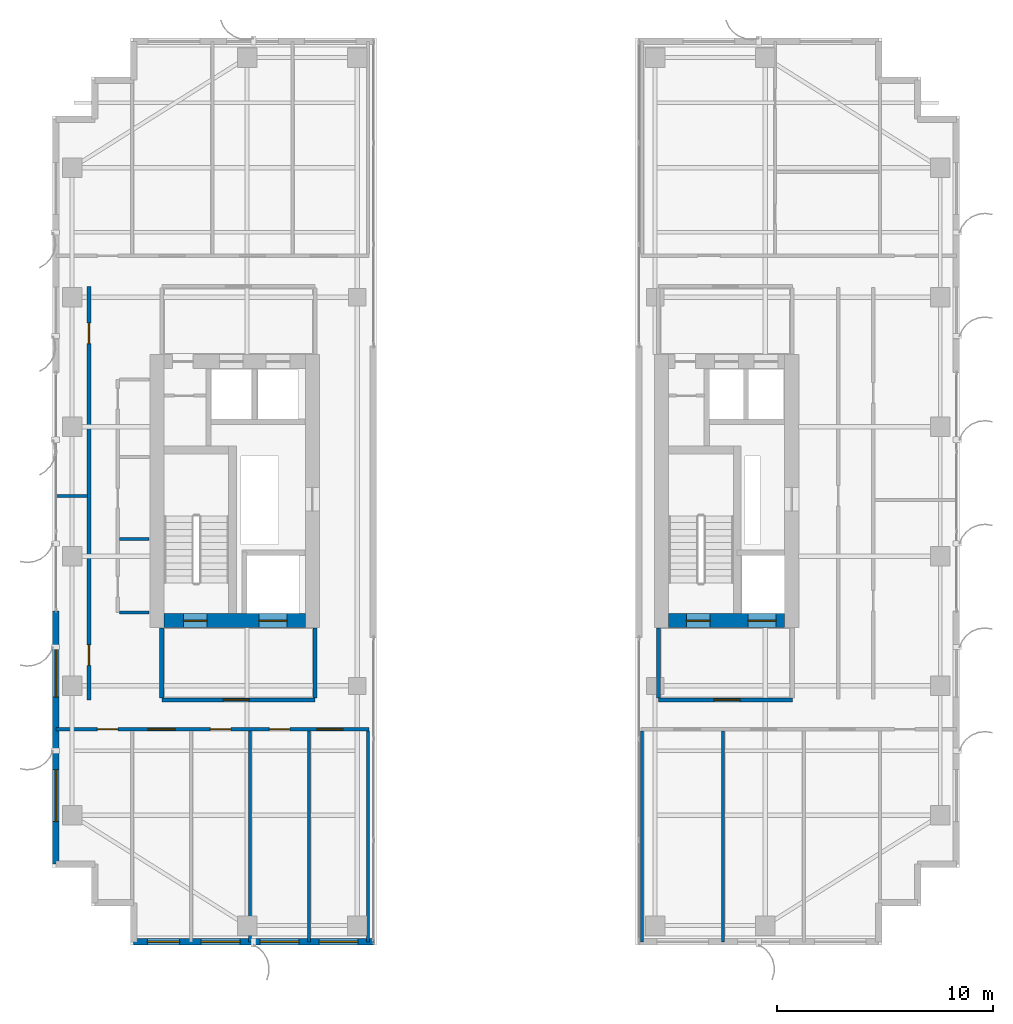
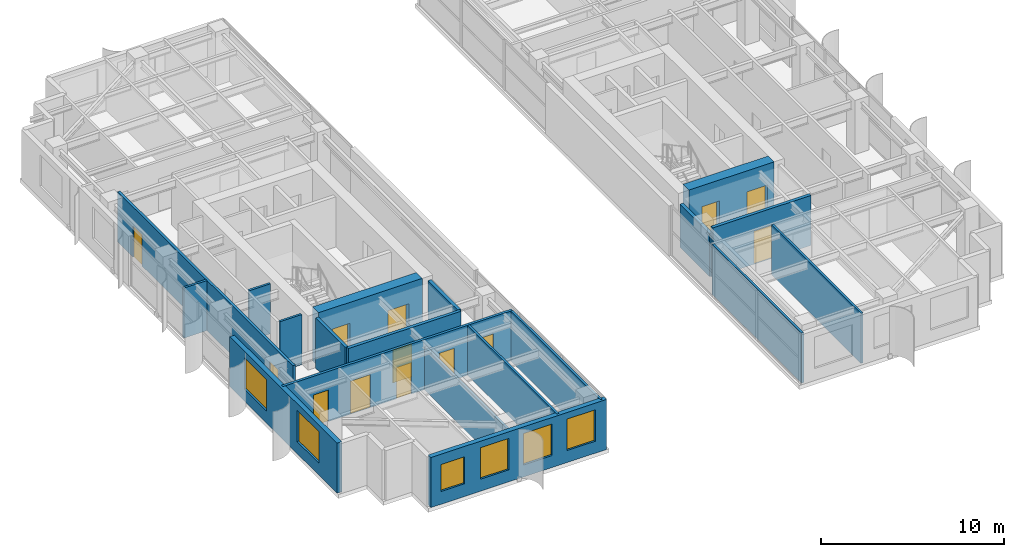
# One storey, part 16 of 22: 19 walls, 13 doors, 6 windows, 19 openings.
"""IFC4 building model written with IfcOpenShell, lengths in metres."""

from ifc_helpers import new_model, si_unit, direction, frame, frame_2d, origin, place, context, subcontext, project, spatial, rectangle, extrude, source, transform, mapped, material, layer, layer_set, type_object, element, fill, save


model = new_model("IFC4")

# Units and contexts
model_context = context("Model", 3, precision=1e-05, world=origin(), true_north=direction((0.0, 1.0)))
body_context = subcontext(model_context, "Body", "Model", "MODEL_VIEW")
ifc_project = project(units=[si_unit("LENGTHUNIT", "METRE"), si_unit("AREAUNIT", "SQUARE_METRE"), si_unit("VOLUMEUNIT", "CUBIC_METRE"), si_unit("PLANEANGLEUNIT", "RADIAN"), si_unit("MASSUNIT", "GRAM", prefix="KILO")], contexts=[model_context])

# Site, building, storey
site_placement = place(None, origin())
site = spatial("IfcSite", under=ifc_project, at=site_placement, CompositionType="ELEMENT")
building_placement = place(site_placement, origin())
building = spatial("IfcBuilding", under=site, at=building_placement, Name="Khoralis Quay Care Tower", CompositionType="ELEMENT")
storey_placement = place(building_placement, frame((0.0, 0.0, 191.699951171875)))
storey = spatial("IfcBuildingStorey", under=building, at=storey_placement, Name="L50", CompositionType="ELEMENT", Elevation=191.699951171875)

# Wall, opening, door
ifc_material_1 = material(Name="Gypsum plasterboard on acoustic metal stud")
ifc_layer_1 = layer(ifc_material_1, 0.199951171875)
ifc_layer_set_1 = layer_set([ifc_layer_1], Name="Gypsum plasterboard on acoustic metal stud")
wall_type_1 = type_object("IfcWallType", Name="WL-COMP-200", PredefinedType="PARTITIONING", material=ifc_layer_set_1)
wall_1_placement = place(storey_placement, frame((8.050048828125, 11.35009765625, 0.0), z_axis=(0.0, 0.0, 1.0), x_axis=(1.0, 0.0, 0.0)))
wall_1 = element("IfcWall", 1, at=wall_1_placement, inside=storey, type_object=wall_type_1, Name="L50 West Firefighting Lobby South Wall", PredefinedType="PARTITIONING", context=body_context, shape_type="SweptSolid", body=[
    extrude(rectangle(XDim=7.099853515625, YDim=0.199951171875, at=frame_2d((3.5498046875, 0.0))), origin(), (0.0, 0.0, 1.0), 3.340087890625),
])
opening_1_placement = place(wall_1_placement, frame((2.846435546875, 0.0, 0.0)))
opening_1 = element("IfcOpeningElement", 2, at=opening_1_placement, cuts=wall_1, Name="Opening FD1", PredefinedType="OPENING", context=body_context, shape_type="SweptSolid", body=[
    extrude(rectangle(XDim=1.199951171875, YDim=2.199951171875, at=frame_2d((0.60009765625, 1.10009765625))), frame((0.0, 0.10986328125, 0.0), z_axis=(0.0, -1.0, 0.0), x_axis=(1.0, 0.0, 0.0)), (0.0, 0.0, 1.0), 0.219970703125),
])
ifc_material_2 = material(Name="Fire-rated painted steel", Category="steel")
door_type_1 = type_object("IfcDoorType", Name="DR-FFL-1200X2200", OperationType="NOTDEFINED", PredefinedType="DOOR", material=ifc_material_2)
shared_shape_1 = source(origin(), body_context, "Body", "SweptSolid", [
    extrude(rectangle(XDim=1.199951171875, YDim=2.199951171875, at=frame_2d((0.60009765625, 1.10009765625))), frame((0.0, 0.02490234375, 0.0), z_axis=(0.0, -1.0, 0.0), x_axis=(1.0, 0.0, 0.0)), (0.0, 0.0, 1.0), 0.050048828125),
])
door_1_placement = place(opening_1_placement, origin())
door_1 = element("IfcDoor", 3, at=door_1_placement, inside=storey, type_object=door_type_1, Name="L50 West Firefighting Lobby Fire Door", OperationType="SINGLE_SWING_RIGHT", OverallHeight=2.199951171875, OverallWidth=1.199951171875, PredefinedType="DOOR", context=body_context, shape_type="MappedRepresentation", body=[
    mapped(shared_shape_1, transform((0.0, 0.0, 0.0), scale=1.0)),
])
fill(opening_1, door_1)

# Walls
for number, where, z_axis, x_axis, name in (
    (4, (8.050048828125, 11.445068359375, 0.0), (0.0, 0.0, 1.0), (0.0, 1.0, 0.0), "L50 West Firefighting Lobby West Wall"),
    (5, (15.14990234375, 11.445068359375, 0.0), (0.0, 0.0, 1.0), (0.0, 1.0, 0.0), "L50 West Firefighting Lobby East Wall"),
):
    element("IfcWall", number, at=place(storey_placement, frame(where, z_axis=z_axis, x_axis=x_axis)), inside=storey, type_object=wall_type_1, Name=name, PredefinedType="PARTITIONING", context=body_context, shape_type="SweptSolid", body=[
        extrude(rectangle(XDim=3.23486328125, YDim=0.199951171875, at=frame_2d((1.617431640625, 0.0))), origin(), (0.0, 0.0, 1.0), 3.340087890625),
    ])

# Wall, opening, door
wall_2_placement = place(storey_placement, frame((31.050048828125, 11.35009765625, 0.0), z_axis=(0.0, 0.0, 1.0), x_axis=(1.0, 0.0, 0.0)))
wall_2 = element("IfcWall", 6, at=wall_2_placement, inside=storey, type_object=wall_type_1, Name="L50 East Firefighting Lobby South Wall", PredefinedType="PARTITIONING", context=body_context, shape_type="SweptSolid", body=[
    extrude(rectangle(XDim=6.199951171875, YDim=0.199951171875, at=frame_2d((3.10009765625, 0.0))), origin(), (0.0, 0.0, 1.0), 3.340087890625),
])
opening_2_placement = place(wall_2_placement, frame((2.585693359375, 0.0, 0.0)))
opening_2 = element("IfcOpeningElement", 7, at=opening_2_placement, cuts=wall_2, Name="Opening FD1", PredefinedType="OPENING", context=body_context, shape_type="SweptSolid", body=[
    extrude(rectangle(XDim=1.199951171875, YDim=2.199951171875, at=frame_2d((0.60009765625, 1.10009765625))), frame((0.0, 0.10986328125, 0.0), z_axis=(0.0, -1.0, 0.0), x_axis=(1.0, 0.0, 0.0)), (0.0, 0.0, 1.0), 0.219970703125),
])
door_2_placement = place(opening_2_placement, origin())
door_2 = element("IfcDoor", 8, at=door_2_placement, inside=storey, type_object=door_type_1, Name="L50 East Firefighting Lobby Fire Door", OperationType="SINGLE_SWING_LEFT", OverallHeight=2.199951171875, OverallWidth=1.199951171875, PredefinedType="DOOR", context=body_context, shape_type="MappedRepresentation", body=[
    mapped(shared_shape_1, transform((0.0, 0.0, 0.0), scale=1.0)),
])
fill(opening_2, door_2)

# Wall
wall_3_placement = place(storey_placement, frame((31.050048828125, 11.445068359375, 0.0), z_axis=(0.0, 0.0, 1.0), x_axis=(0.0, 1.0, 0.0)))
element("IfcWall", 9, at=wall_3_placement, inside=storey, type_object=wall_type_1, Name="L50 East Firefighting Lobby West Wall", PredefinedType="PARTITIONING", context=body_context, shape_type="SweptSolid", body=[
    extrude(rectangle(XDim=3.23486328125, YDim=0.199951171875, at=frame_2d((1.617431640625, 0.0))), origin(), (0.0, 0.0, 1.0), 2.876953125),
])

# Wall, openings, doors
ifc_material_3 = material(Name="Concrete C65/80", Category="concrete")
ifc_layer_2 = layer(ifc_material_3, 0.64990234375)
ifc_layer_set_2 = layer_set([ifc_layer_2], Name="Concrete C65/80")
wall_type_2 = type_object("IfcWallType", Name="WL-CORE-650", PredefinedType="SHEAR", material=ifc_layer_set_2)
wall_4_placement = place(storey_placement, frame((8.14990234375, 15.02490234375, 0.0), z_axis=(0.0, 0.0, 1.0), x_axis=(1.0, 0.0, 0.0)))
wall_4 = element("IfcWall", 10, at=wall_4_placement, inside=storey, type_object=wall_type_2, Name="L50 WCORE South Shear Wall", PredefinedType="SHEAR", context=body_context, shape_type="SweptSolid", body=[
    extrude(rectangle(XDim=6.550048828125, YDim=0.64990234375, at=frame_2d((3.27490234375, 0.0))), origin(), (0.0, 0.0, 1.0), 3.60009765625),
])
opening_3_placement = place(wall_4_placement, frame((0.89990234375, 0.0, 0.0)))
opening_3 = element("IfcOpeningElement", 11, at=opening_3_placement, cuts=wall_4, Name="Opening SD1", PredefinedType="OPENING", context=body_context, shape_type="SweptSolid", body=[
    extrude(rectangle(XDim=1.10009765625, YDim=2.199951171875, at=frame_2d((0.550048828125, 1.10009765625))), frame((0.0, 0.3349609375, 0.0), z_axis=(0.0, -1.0, 0.0), x_axis=(1.0, 0.0, 0.0)), (0.0, 0.0, 1.0), 0.669921875),
])
opening_4_placement = place(wall_4_placement, frame((4.39990234375, 0.0, 0.0)))
opening_4 = element("IfcOpeningElement", 12, at=opening_4_placement, cuts=wall_4, Name="Opening LD2", PredefinedType="OPENING", context=body_context, shape_type="SweptSolid", body=[
    extrude(rectangle(XDim=1.300048828125, YDim=2.199951171875, at=frame_2d((0.64990234375, 1.10009765625))), frame((0.0, 0.3349609375, 0.0), z_axis=(0.0, -1.0, 0.0), x_axis=(1.0, 0.0, 0.0)), (0.0, 0.0, 1.0), 0.669921875),
])
door_type_2 = type_object("IfcDoorType", Name="DR-STAIR-1100X2200", OperationType="NOTDEFINED", PredefinedType="DOOR", material=ifc_material_2)
shared_shape_2 = source(origin(), body_context, "Body", "SweptSolid", [
    extrude(rectangle(XDim=1.10009765625, YDim=2.199951171875, at=frame_2d((0.550048828125, 1.10009765625))), frame((0.0, 0.02490234375, 0.0), z_axis=(0.0, -1.0, 0.0), x_axis=(1.0, 0.0, 0.0)), (0.0, 0.0, 1.0), 0.050048828125),
])
door_3_placement = place(opening_3_placement, origin())
door_3 = element("IfcDoor", 13, at=door_3_placement, inside=storey, type_object=door_type_2, Name="L50 Stair ST-T1 Fire Door", OperationType="SINGLE_SWING_RIGHT", OverallHeight=2.199951171875, OverallWidth=1.10009765625, PredefinedType="DOOR", context=body_context, shape_type="MappedRepresentation", body=[
    mapped(shared_shape_2, transform((0.0, 0.0, 0.0), scale=1.0)),
])
fill(opening_3, door_3)
ifc_material_4 = material(Name="Brushed stainless steel", Category="steel")
door_type_3 = type_object("IfcDoorType", Name="DR-LIFT-1300X2200", OperationType="SLIDING_TO_RIGHT", PredefinedType="DOOR", material=ifc_material_4)
shared_shape_3 = source(origin(), body_context, "Body", "SweptSolid", [
    extrude(rectangle(XDim=1.300048828125, YDim=2.199951171875, at=frame_2d((0.64990234375, 1.10009765625))), frame((0.0, 0.02490234375, 0.0), z_axis=(0.0, -1.0, 0.0), x_axis=(1.0, 0.0, 0.0)), (0.0, 0.0, 1.0), 0.050048828125),
])
door_4_placement = place(opening_4_placement, origin())
door_4 = element("IfcDoor", 14, at=door_4_placement, inside=storey, type_object=door_type_3, Name="L50 Firefighting Lift FFL-1 Landing Door", OperationType="SLIDING_TO_RIGHT", OverallHeight=2.199951171875, OverallWidth=1.300048828125, PredefinedType="DOOR", context=body_context, shape_type="MappedRepresentation", body=[
    mapped(shared_shape_3, transform((0.0, 0.0, 0.0), scale=1.0)),
])
fill(opening_4, door_4)

wall_5_placement = place(storey_placement, frame((31.52001953125, 15.02490234375, 0.0), z_axis=(0.0, 0.0, 1.0), x_axis=(1.0, 0.0, 0.0)))
wall_5 = element("IfcWall", 15, at=wall_5_placement, inside=storey, type_object=wall_type_2, Name="L50 ECORE South Shear Wall", PredefinedType="SHEAR", context=body_context, shape_type="SweptSolid", body=[
    extrude(rectangle(XDim=5.3798828125, YDim=0.64990234375, at=frame_2d((2.68994140625, 0.0))), origin(), (0.0, 0.0, 1.0), 3.60009765625),
])
opening_5_placement = place(wall_5_placement, frame((0.830078125, 0.0, 0.0)))
opening_5 = element("IfcOpeningElement", 16, at=opening_5_placement, cuts=wall_5, Name="Opening SD1", PredefinedType="OPENING", context=body_context, shape_type="SweptSolid", body=[
    extrude(rectangle(XDim=1.10009765625, YDim=2.199951171875, at=frame_2d((0.550048828125, 1.10009765625))), frame((0.0, 0.3349609375, 0.0), z_axis=(0.0, -1.0, 0.0), x_axis=(1.0, 0.0, 0.0)), (0.0, 0.0, 1.0), 0.669921875),
])
opening_6_placement = place(wall_5_placement, frame((3.679931640625, 0.0, 0.0)))
opening_6 = element("IfcOpeningElement", 17, at=opening_6_placement, cuts=wall_5, Name="Opening LD2", PredefinedType="OPENING", context=body_context, shape_type="SweptSolid", body=[
    extrude(rectangle(XDim=1.300048828125, YDim=2.199951171875, at=frame_2d((0.64990234375, 1.10009765625))), frame((0.0, 0.3349609375, 0.0), z_axis=(0.0, -1.0, 0.0), x_axis=(1.0, 0.0, 0.0)), (0.0, 0.0, 1.0), 0.669921875),
])
door_5_placement = place(opening_5_placement, origin())
door_5 = element("IfcDoor", 18, at=door_5_placement, inside=storey, type_object=door_type_2, Name="L50 Stair ST-T2 Fire Door", OperationType="SINGLE_SWING_LEFT", OverallHeight=2.199951171875, OverallWidth=1.10009765625, PredefinedType="DOOR", context=body_context, shape_type="MappedRepresentation", body=[
    mapped(shared_shape_2, transform((0.0, 0.0, 0.0), scale=1.0)),
])
fill(opening_5, door_5)
door_6_placement = place(opening_6_placement, origin())
door_6 = element("IfcDoor", 19, at=door_6_placement, inside=storey, type_object=door_type_3, Name="L50 Firefighting Lift FFL-2 Landing Door", OperationType="SLIDING_TO_RIGHT", OverallHeight=2.199951171875, OverallWidth=1.300048828125, PredefinedType="DOOR", context=body_context, shape_type="MappedRepresentation", body=[
    mapped(shared_shape_3, transform((0.0, 0.0, 0.0), scale=1.0)),
])
fill(opening_6, door_6)

ifc_layer_3 = layer(ifc_material_1, 0.1650390625)
ifc_layer_set_3 = layer_set([ifc_layer_3], Name="Gypsum plasterboard on acoustic metal stud")
wall_type_3 = type_object("IfcWallType", Name="WL-CORR-165", PredefinedType="PARTITIONING", material=ifc_layer_set_3)
wall_6_placement = place(storey_placement, frame((3.14501953125, 9.989990234375, 0.0), z_axis=(0.0, 0.0, 1.0), x_axis=(1.0, 0.0, 0.0)))
wall_6 = element("IfcWall", 20, at=wall_6_placement, inside=storey, type_object=wall_type_3, Name="L50 West Wing South Corridor Wall", PredefinedType="PARTITIONING", context=body_context, shape_type="SweptSolid", body=[
    extrude(rectangle(XDim=14.5048828125, YDim=0.1650390625, at=frame_2d((7.25244140625, 0.0))), origin(), (0.0, 0.0, 1.0), 3.340087890625),
])
opening_7_placement = place(wall_6_placement, frame((4.27490234375, 0.0, 0.0)))
opening_7 = element("IfcOpeningElement", 21, at=opening_7_placement, cuts=wall_6, Name="Opening CD1", PredefinedType="OPENING", context=body_context, shape_type="SweptSolid", body=[
    extrude(rectangle(XDim=1.25, YDim=2.199951171875, at=frame_2d((0.625, 1.10009765625))), frame((0.0, 0.092529296875, 0.0), z_axis=(0.0, -1.0, 0.0), x_axis=(1.0, 0.0, 0.0)), (0.0, 0.0, 1.0), 0.18505859375),
])
opening_8_placement = place(wall_6_placement, frame((7.155029296875, 0.0, 0.0)))
opening_8 = element("IfcOpeningElement", 22, at=opening_8_placement, cuts=wall_6, Name="Opening ID1", PredefinedType="OPENING", context=body_context, shape_type="SweptSolid", body=[
    extrude(rectangle(XDim=0.949951171875, YDim=2.10009765625, at=frame_2d((0.47509765625, 1.050048828125))), frame((0.0, 0.092529296875, 0.0), z_axis=(0.0, -1.0, 0.0), x_axis=(1.0, 0.0, 0.0)), (0.0, 0.0, 1.0), 0.18505859375),
])
opening_9_placement = place(wall_6_placement, frame((9.885009765625, 0.0, 0.0)))
opening_9 = element("IfcOpeningElement", 23, at=opening_9_placement, cuts=wall_6, Name="Opening ID1", PredefinedType="OPENING", context=body_context, shape_type="SweptSolid", body=[
    extrude(rectangle(XDim=0.949951171875, YDim=2.10009765625, at=frame_2d((0.47509765625, 1.050048828125))), frame((0.0, 0.092529296875, 0.0), z_axis=(0.0, -1.0, 0.0), x_axis=(1.0, 0.0, 0.0)), (0.0, 0.0, 1.0), 0.18505859375),
])
opening_10_placement = place(wall_6_placement, frame((12.090087890625, 0.0, 0.0)))
opening_10 = element("IfcOpeningElement", 24, at=opening_10_placement, cuts=wall_6, Name="Opening FD1", PredefinedType="OPENING", context=body_context, shape_type="SweptSolid", body=[
    extrude(rectangle(XDim=1.199951171875, YDim=2.199951171875, at=frame_2d((0.60009765625, 1.10009765625))), frame((0.0, 0.092529296875, 0.0), z_axis=(0.0, -1.0, 0.0), x_axis=(1.0, 0.0, 0.0)), (0.0, 0.0, 1.0), 0.18505859375),
])
opening_11_placement = place(wall_6_placement, frame((1.919921875, 0.0, 0.0)))
opening_11 = element("IfcOpeningElement", 25, at=opening_11_placement, cuts=wall_6, Name="Opening ID1", PredefinedType="OPENING", context=body_context, shape_type="SweptSolid", body=[
    extrude(rectangle(XDim=0.949951171875, YDim=2.10009765625, at=frame_2d((0.47509765625, 1.050048828125))), frame((0.0, 0.092529296875, 0.0), z_axis=(0.0, -1.0, 0.0), x_axis=(1.0, 0.0, 0.0)), (0.0, 0.0, 1.0), 0.18505859375),
])
door_7_placement = place(opening_10_placement, frame((1.199951171875, 0.0, 0.0), z_axis=(0.0, 0.0, 1.0), x_axis=(-1.0, 0.0, 0.0)))
door_7 = element("IfcDoor", 26, at=door_7_placement, inside=storey, type_object=door_type_1, Name="L50 Senior Wellness Pharmacy Shop Door", OperationType="DOUBLE_DOOR_SINGLE_SWING", OverallHeight=2.199951171875, OverallWidth=1.199951171875, PredefinedType="DOOR", context=body_context, shape_type="MappedRepresentation", body=[
    mapped(shared_shape_1, transform((0.0, 0.0, 0.0), scale=1.0)),
])
fill(opening_10, door_7)
ifc_material_5 = material(Name="Acoustic hardwood timber", Category="wood")
door_type_4 = type_object("IfcDoorType", Name="DR-CARE-1250X2200", OperationType="NOTDEFINED", PredefinedType="DOOR", material=ifc_material_5)
shared_shape_4 = source(origin(), body_context, "Body", "SweptSolid", [
    extrude(rectangle(XDim=1.25, YDim=2.199951171875, at=frame_2d((0.625, 1.10009765625))), frame((0.0, 0.02490234375, 0.0), z_axis=(0.0, -1.0, 0.0), x_axis=(1.0, 0.0, 0.0)), (0.0, 0.0, 1.0), 0.050048828125),
])
door_8_placement = place(opening_7_placement, frame((1.25, 0.0, 0.0), z_axis=(0.0, 0.0, 1.0), x_axis=(-1.0, 0.0, 0.0)))
door_8 = element("IfcDoor", 27, at=door_8_placement, inside=storey, type_object=door_type_4, Name="L50 Geriatric Consultation Clinic Door", OperationType="SINGLE_SWING_LEFT", OverallHeight=2.199951171875, OverallWidth=1.25, PredefinedType="DOOR", context=body_context, shape_type="MappedRepresentation", body=[
    mapped(shared_shape_4, transform((0.0, 0.0, 0.0), scale=1.0)),
])
fill(opening_7, door_8)
door_type_5 = type_object("IfcDoorType", Name="DR-ROOM-950X2100", OperationType="NOTDEFINED", PredefinedType="DOOR", material=ifc_material_5)
shared_shape_5 = source(origin(), body_context, "Body", "SweptSolid", [
    extrude(rectangle(XDim=0.949951171875, YDim=2.10009765625, at=frame_2d((0.47509765625, 1.050048828125))), frame((0.0, 0.02490234375, 0.0), z_axis=(0.0, -1.0, 0.0), x_axis=(1.0, 0.0, 0.0)), (0.0, 0.0, 1.0), 0.050048828125),
])
door_9_placement = place(opening_8_placement, frame((0.949951171875, 0.0, 0.0), z_axis=(0.0, 0.0, 1.0), x_axis=(-1.0, 0.0, 0.0)))
door_9 = element("IfcDoor", 28, at=door_9_placement, inside=storey, type_object=door_type_5, Name="L50 Care Coordination Office Door", OperationType="SINGLE_SWING_LEFT", OverallHeight=2.10009765625, OverallWidth=0.949951171875, PredefinedType="DOOR", context=body_context, shape_type="MappedRepresentation", body=[
    mapped(shared_shape_5, transform((0.0, 0.0, 0.0), scale=1.0)),
])
fill(opening_8, door_9)
door_10_placement = place(opening_9_placement, frame((0.949951171875, 0.0, 0.0), z_axis=(0.0, 0.0, 1.0), x_axis=(-1.0, 0.0, 0.0)))
door_10 = element("IfcDoor", 29, at=door_10_placement, inside=storey, type_object=door_type_5, Name="L50 Family Case Conference Room Door", OperationType="SINGLE_SWING_RIGHT", OverallHeight=2.10009765625, OverallWidth=0.949951171875, PredefinedType="DOOR", context=body_context, shape_type="MappedRepresentation", body=[
    mapped(shared_shape_5, transform((0.0, 0.0, 0.0), scale=1.0)),
])
fill(opening_9, door_10)
door_11_placement = place(opening_11_placement, frame((0.949951171875, 0.0, 0.0), z_axis=(0.0, 0.0, 1.0), x_axis=(-1.0, 0.0, 0.0)))
door_11 = element("IfcDoor", 30, at=door_11_placement, inside=storey, type_object=door_type_5, Name="L50 SW Corner Door", OperationType="SINGLE_SWING_LEFT", OverallHeight=2.10009765625, OverallWidth=0.949951171875, PredefinedType="DOOR", context=body_context, shape_type="MappedRepresentation", body=[
    mapped(shared_shape_5, transform((0.0, 0.0, 0.0), scale=1.0)),
])
fill(opening_11, door_11)

wall_7_placement = place(storey_placement, frame((4.679931640625, 11.35009765625, 0.0), z_axis=(0.0, 0.0, 1.0), x_axis=(0.0, 1.0, 0.0)))
wall_7 = element("IfcWall", 31, at=wall_7_placement, inside=storey, type_object=wall_type_3, Name="L50 West Mid South Entry Wall", PredefinedType="PARTITIONING", context=body_context, shape_type="SweptSolid", body=[
    extrude(rectangle(XDim=19.14990234375, YDim=0.1650390625, at=frame_2d((9.574951171875, 0.0))), origin(), (0.0, 0.0, 1.0), 3.340087890625),
])
opening_12_placement = place(wall_7_placement, frame((1.60009765625, 0.0, 0.0)))
opening_12 = element("IfcOpeningElement", 32, at=opening_12_placement, cuts=wall_7, Name="Opening ID1", PredefinedType="OPENING", context=body_context, shape_type="SweptSolid", body=[
    extrude(rectangle(XDim=0.949951171875, YDim=2.10009765625, at=frame_2d((0.47509765625, 1.050048828125))), frame((0.0, 0.092529296875, 0.0), z_axis=(0.0, -1.0, 0.0), x_axis=(1.0, 0.0, 0.0)), (0.0, 0.0, 1.0), 0.18505859375),
])
opening_13_placement = place(wall_7_placement, frame((16.5, 0.0, 0.0)))
opening_13 = element("IfcOpeningElement", 33, at=opening_13_placement, cuts=wall_7, Name="Opening ID1", PredefinedType="OPENING", context=body_context, shape_type="SweptSolid", body=[
    extrude(rectangle(XDim=0.949951171875, YDim=2.10009765625, at=frame_2d((0.47509765625, 1.050048828125))), frame((0.0, 0.092529296875, 0.0), z_axis=(0.0, -1.0, 0.0), x_axis=(1.0, 0.0, 0.0)), (0.0, 0.0, 1.0), 0.18505859375),
])
door_12_placement = place(opening_12_placement, frame((0.949951171875, 0.0, 0.0), z_axis=(0.0, 0.0, 1.0), x_axis=(-1.0, 0.0, 0.0)))
door_12 = element("IfcDoor", 34, at=door_12_placement, inside=storey, type_object=door_type_5, Name="L50 West Waterfront Living Suite Door", OperationType="SINGLE_SWING_LEFT", OverallHeight=2.10009765625, OverallWidth=0.949951171875, PredefinedType="DOOR", context=body_context, shape_type="MappedRepresentation", body=[
    mapped(shared_shape_5, transform((0.0, 0.0, 0.0), scale=1.0)),
])
fill(opening_12, door_12)
door_13_placement = place(opening_13_placement, frame((0.949951171875, 0.0, 0.0), z_axis=(0.0, 0.0, 1.0), x_axis=(-1.0, 0.0, 0.0)))
door_13 = element("IfcDoor", 35, at=door_13_placement, inside=storey, type_object=door_type_5, Name="L50 West Care Coordinator Office Door", OperationType="SINGLE_SWING_RIGHT", OverallHeight=2.10009765625, OverallWidth=0.949951171875, PredefinedType="DOOR", context=body_context, shape_type="MappedRepresentation", body=[
    mapped(shared_shape_5, transform((0.0, 0.0, 0.0), scale=1.0)),
])
fill(opening_13, door_13)

# Wall, openings, windows
ifc_material_6 = material(Name="Precast concrete C45/55", Category="concrete")
ifc_layer_4 = layer(ifc_material_6, 0.300048828125)
ifc_layer_set_4 = layer_set([ifc_layer_4], Name="Precast concrete C45/55")
wall_type_4 = type_object("IfcWallType", Name="WL-EXT-REF-300", PredefinedType="SOLIDWALL", material=ifc_layer_set_4)
wall_8_placement = place(storey_placement, frame((6.75, 0.14990234375, 0.0), z_axis=(0.0, 0.0, 1.0), x_axis=(1.0, 0.0, 0.0)))
wall_8 = element("IfcWall", 36, at=wall_8_placement, inside=storey, type_object=wall_type_4, Name="L50 External Facade Wall WL-EXT-L50-P1-E0", PredefinedType="SOLIDWALL", context=body_context, shape_type="SweptSolid", body=[
    extrude(rectangle(XDim=11.10009765625, YDim=0.300048828125, at=frame_2d((5.550048828125, 0.0))), origin(), (0.0, 0.0, 1.0), 3.340087890625),
])
opening_14_placement = place(wall_8_placement, frame((0.6298828125, 0.0, 0.85009765625)))
opening_14 = element("IfcOpeningElement", 37, at=opening_14_placement, cuts=wall_8, Name="Opening W3", PredefinedType="OPENING", context=body_context, shape_type="SweptSolid", body=[
    extrude(rectangle(XDim=1.5, YDim=1.800048828125, at=frame_2d((0.75, 0.89990234375))), frame((0.0, 0.16015625, 0.0), z_axis=(0.0, -1.0, 0.0), x_axis=(1.0, 0.0, 0.0)), (0.0, 0.0, 1.0), 0.320068359375),
])
opening_15_placement = place(wall_8_placement, frame((3.125, 0.0, 0.800048828125)))
opening_15 = element("IfcOpeningElement", 38, at=opening_15_placement, cuts=wall_8, Name="Opening W2", PredefinedType="OPENING", context=body_context, shape_type="SweptSolid", body=[
    extrude(rectangle(XDim=1.800048828125, YDim=2.10009765625, at=frame_2d((0.89990234375, 1.050048828125))), frame((0.0, 0.16015625, 0.0), z_axis=(0.0, -1.0, 0.0), x_axis=(1.0, 0.0, 0.0)), (0.0, 0.0, 1.0), 0.320068359375),
])
opening_16_placement = place(wall_8_placement, frame((5.85498046875, 0.0, 0.800048828125)))
opening_16 = element("IfcOpeningElement", 39, at=opening_16_placement, cuts=wall_8, Name="Opening W2", PredefinedType="OPENING", context=body_context, shape_type="SweptSolid", body=[
    extrude(rectangle(XDim=1.800048828125, YDim=2.10009765625, at=frame_2d((0.89990234375, 1.050048828125))), frame((0.0, 0.16015625, 0.0), z_axis=(0.0, -1.0, 0.0), x_axis=(1.0, 0.0, 0.0)), (0.0, 0.0, 1.0), 0.320068359375),
])
opening_17_placement = place(wall_8_placement, frame((8.5849609375, 0.0, 0.800048828125)))
opening_17 = element("IfcOpeningElement", 40, at=opening_17_placement, cuts=wall_8, Name="Opening W2", PredefinedType="OPENING", context=body_context, shape_type="SweptSolid", body=[
    extrude(rectangle(XDim=1.800048828125, YDim=2.10009765625, at=frame_2d((0.89990234375, 1.050048828125))), frame((0.0, 0.16015625, 0.0), z_axis=(0.0, -1.0, 0.0), x_axis=(1.0, 0.0, 0.0)), (0.0, 0.0, 1.0), 0.320068359375),
])
ifc_material_7 = material(Name="Low-E solar-control double glazing", Category="glass")
window_type_1 = type_object("IfcWindowType", Name="WN-CLIN-1500X1800", PartitioningType="SINGLE_PANEL", PredefinedType="WINDOW", material=ifc_material_7)
shared_shape_6 = source(origin(), body_context, "Body", "SweptSolid", [
    extrude(rectangle(XDim=1.5, YDim=1.800048828125, at=frame_2d((0.75, 0.89990234375))), frame((0.0, 0.030029296875, 0.0), z_axis=(0.0, -1.0, 0.0), x_axis=(1.0, 0.0, 0.0)), (0.0, 0.0, 1.0), 0.06005859375),
])
window_1_placement = place(opening_14_placement, origin())
window_1 = element("IfcWindow", 41, at=window_1_placement, inside=storey, type_object=window_type_1, Name="WN-L50-P1-E0 Facade Window 01", OverallHeight=1.800048828125, OverallWidth=1.5, PartitioningType="SINGLE_PANEL", PredefinedType="WINDOW", context=body_context, shape_type="MappedRepresentation", body=[
    mapped(shared_shape_6, transform((0.0, 0.0, 0.0), scale=1.0)),
])
fill(opening_14, window_1)
window_type_2 = type_object("IfcWindowType", Name="WN-POD-1800X2100", PartitioningType="SINGLE_PANEL", PredefinedType="WINDOW", material=ifc_material_7)
shared_shape_7 = source(origin(), body_context, "Body", "SweptSolid", [
    extrude(rectangle(XDim=1.800048828125, YDim=2.10009765625, at=frame_2d((0.89990234375, 1.050048828125))), frame((0.0, 0.030029296875, 0.0), z_axis=(0.0, -1.0, 0.0), x_axis=(1.0, 0.0, 0.0)), (0.0, 0.0, 1.0), 0.06005859375),
])
window_2_placement = place(opening_15_placement, origin())
window_2 = element("IfcWindow", 42, at=window_2_placement, inside=storey, type_object=window_type_2, Name="WN-L50-P1-E0 Facade Window 02", OverallHeight=2.10009765625, OverallWidth=1.800048828125, PartitioningType="SINGLE_PANEL", PredefinedType="WINDOW", context=body_context, shape_type="MappedRepresentation", body=[
    mapped(shared_shape_7, transform((0.0, 0.0, 0.0), scale=1.0)),
])
fill(opening_15, window_2)
window_3_placement = place(opening_16_placement, origin())
window_3 = element("IfcWindow", 43, at=window_3_placement, inside=storey, type_object=window_type_2, Name="WN-L50-P1-E0 Facade Window 03", OverallHeight=2.10009765625, OverallWidth=1.800048828125, PartitioningType="SINGLE_PANEL", PredefinedType="WINDOW", context=body_context, shape_type="MappedRepresentation", body=[
    mapped(shared_shape_7, transform((0.0, 0.0, 0.0), scale=1.0)),
])
fill(opening_16, window_3)
window_4_placement = place(opening_17_placement, origin())
window_4 = element("IfcWindow", 44, at=window_4_placement, inside=storey, type_object=window_type_2, Name="WN-L50-P1-E0 Facade Window 04", OverallHeight=2.10009765625, OverallWidth=1.800048828125, PartitioningType="SINGLE_PANEL", PredefinedType="WINDOW", context=body_context, shape_type="MappedRepresentation", body=[
    mapped(shared_shape_7, transform((0.0, 0.0, 0.0), scale=1.0)),
])
fill(opening_17, window_4)

wall_9_placement = place(storey_placement, frame((3.14990234375, 15.47998046875, 0.0), z_axis=(0.0, 0.0, 1.0), x_axis=(0.0, -1.0, 0.0)))
wall_9 = element("IfcWall", 45, at=wall_9_placement, inside=storey, type_object=wall_type_4, Name="L50 External Facade Wall WL-EXT-L50-P1-E7B", PredefinedType="SOLIDWALL", context=body_context, shape_type="SweptSolid", body=[
    extrude(rectangle(XDim=11.72998046875, YDim=0.300048828125, at=frame_2d((5.864990234375, 0.0))), origin(), (0.0, 0.0, 1.0), 3.340087890625),
])
opening_18_placement = place(wall_9_placement, frame((1.594970703125, 0.0, 0.800048828125)))
opening_18 = element("IfcOpeningElement", 46, at=opening_18_placement, cuts=wall_9, Name="Opening W1", PredefinedType="OPENING", context=body_context, shape_type="SweptSolid", body=[
    extrude(rectangle(XDim=2.39990234375, YDim=2.10009765625, at=frame_2d((1.199951171875, 1.050048828125))), frame((0.0, 0.16015625, 0.0), z_axis=(0.0, -1.0, 0.0), x_axis=(1.0, 0.0, 0.0)), (0.0, 0.0, 1.0), 0.320068359375),
])
opening_19_placement = place(wall_9_placement, frame((7.360107421875, 0.0, 0.800048828125)))
opening_19 = element("IfcOpeningElement", 47, at=opening_19_placement, cuts=wall_9, Name="Opening W1", PredefinedType="OPENING", context=body_context, shape_type="SweptSolid", body=[
    extrude(rectangle(XDim=2.39990234375, YDim=2.10009765625, at=frame_2d((1.199951171875, 1.050048828125))), frame((0.0, 0.16015625, 0.0), z_axis=(0.0, -1.0, 0.0), x_axis=(1.0, 0.0, 0.0)), (0.0, 0.0, 1.0), 0.320068359375),
])
window_type_3 = type_object("IfcWindowType", Name="WN-POD-2400X2100", PartitioningType="SINGLE_PANEL", PredefinedType="WINDOW", material=ifc_material_7)
shared_shape_8 = source(origin(), body_context, "Body", "SweptSolid", [
    extrude(rectangle(XDim=2.39990234375, YDim=2.10009765625, at=frame_2d((1.199951171875, 1.050048828125))), frame((0.0, 0.030029296875, 0.0), z_axis=(0.0, -1.0, 0.0), x_axis=(1.0, 0.0, 0.0)), (0.0, 0.0, 1.0), 0.06005859375),
])
window_5_placement = place(opening_18_placement, origin())
window_5 = element("IfcWindow", 48, at=window_5_placement, inside=storey, type_object=window_type_3, Name="WN-L50-P1-E7B Facade Window 01", OverallHeight=2.10009765625, OverallWidth=2.39990234375, PartitioningType="SINGLE_PANEL", PredefinedType="WINDOW", context=body_context, shape_type="MappedRepresentation", body=[
    mapped(shared_shape_8, transform((0.0, 0.0, 0.0), scale=1.0)),
])
fill(opening_18, window_5)
window_6_placement = place(opening_19_placement, origin())
window_6 = element("IfcWindow", 49, at=window_6_placement, inside=storey, type_object=window_type_3, Name="WN-L50-P1-E7B Facade Window 02", OverallHeight=2.10009765625, OverallWidth=2.39990234375, PartitioningType="SINGLE_PANEL", PredefinedType="WINDOW", context=body_context, shape_type="MappedRepresentation", body=[
    mapped(shared_shape_8, transform((0.0, 0.0, 0.0), scale=1.0)),
])
fill(opening_19, window_6)

# Walls
ifc_material_8 = material(Name="Moisture-resistant gypsum and ceramic tile")
ifc_layer_5 = layer(ifc_material_8, 0.280029296875)
ifc_layer_set_5 = layer_set([ifc_layer_5], Name="Moisture-resistant gypsum and ceramic tile")
wall_type_5 = type_object("IfcWallType", Name="WL-PLUMB-280", PredefinedType="PLUMBINGWALL", material=ifc_layer_set_5)
wall_10_placement = place(storey_placement, frame((6.097412109375, 18.800048828125, 0.0), z_axis=(0.0, 0.0, 1.0), x_axis=(1.0, 0.0, 0.0)))
element("IfcWall", 50, at=wall_10_placement, inside=storey, type_object=wall_type_5, Name="L50 West Flank Divider 1", PredefinedType="PLUMBINGWALL", context=body_context, shape_type="SweptSolid", body=[
    extrude(rectangle(XDim=1.362548828125, YDim=0.139892578125, at=frame_2d((0.68115234375, 0.0))), origin(), (0.0, 0.0, 1.0), 3.340087890625),
])
ifc_layer_6 = layer(ifc_material_1, 0.139892578125)
ifc_layer_set_6 = layer_set([ifc_layer_6], Name="Gypsum plasterboard on acoustic metal stud")
wall_type_6 = type_object("IfcWallType", Name="WL-UNIT-140", PredefinedType="PARTITIONING", material=ifc_layer_set_6)
wall_11_placement = place(storey_placement, frame((6.097412109375, 15.39990234375, 0.0), z_axis=(0.0, 0.0, 1.0), x_axis=(1.0, 0.0, 0.0)))
element("IfcWall", 51, at=wall_11_placement, inside=storey, type_object=wall_type_6, Name="L50 West Flank South Cap", PredefinedType="PARTITIONING", context=body_context, shape_type="SweptSolid", body=[
    extrude(rectangle(XDim=1.362548828125, YDim=0.139892578125, at=frame_2d((0.68115234375, 0.0))), origin(), (0.0, 0.0, 1.0), 3.340087890625),
])
wall_12_placement = place(storey_placement, frame((3.14501953125, 20.800048828125, 0.0), z_axis=(0.0, 0.0, 1.0), x_axis=(1.0, 0.0, 0.0)))
element("IfcWall", 52, at=wall_12_placement, inside=storey, type_object=wall_type_6, Name="L50 West Mid Split", PredefinedType="PARTITIONING", context=body_context, shape_type="SweptSolid", body=[
    extrude(rectangle(XDim=1.45751953125, YDim=0.139892578125, at=frame_2d((0.728759765625, 0.0))), origin(), (0.0, 0.0, 1.0), 3.340087890625),
])
wall_13_placement = place(storey_placement, frame((12.139892578125, 0.14501953125, 0.0), z_axis=(0.0, 0.0, 1.0), x_axis=(0.0, 1.0, 0.0)))
element("IfcWall", 53, at=wall_13_placement, inside=storey, type_object=wall_type_6, Name="L50 WS Demising Wall 2", PredefinedType="PARTITIONING", context=body_context, shape_type="SweptSolid", body=[
    extrude(rectangle(XDim=9.767578125, YDim=0.139892578125, at=frame_2d((4.8837890625, 0.0))), origin(), (0.0, 0.0, 1.0), 2.876953125),
])
for number, where, z_axis, x_axis, name in (
    (54, (14.8701171875, 0.14501953125, 0.0), (0.0, 0.0, 1.0), (0.0, 1.0, 0.0), "L50 WS Demising Wall 3"),
    (55, (17.60009765625, 0.14501953125, 0.0), (0.0, 0.0, 1.0), (0.0, 1.0, 0.0), "L50 WS Demising Wall 4"),
    (56, (30.300048828125, 0.14501953125, 0.0), (0.0, 0.0, 1.0), (0.0, 1.0, 0.0), "L50 ES Demising Wall 0"),
    (57, (34.050048828125, 0.14501953125, 0.0), (0.0, 0.0, 1.0), (0.0, 1.0, 0.0), "L50 ES Demising Wall 1"),
):
    element("IfcWall", number, at=place(storey_placement, frame(where, z_axis=z_axis, x_axis=x_axis)), inside=storey, type_object=wall_type_6, Name=name, PredefinedType="PARTITIONING", context=body_context, shape_type="SweptSolid", body=[
        extrude(rectangle(XDim=9.767578125, YDim=0.139892578125, at=frame_2d((4.8837890625, 0.0))), origin(), (0.0, 0.0, 1.0), 3.340087890625),
    ])

save(model, "model.ifc")
